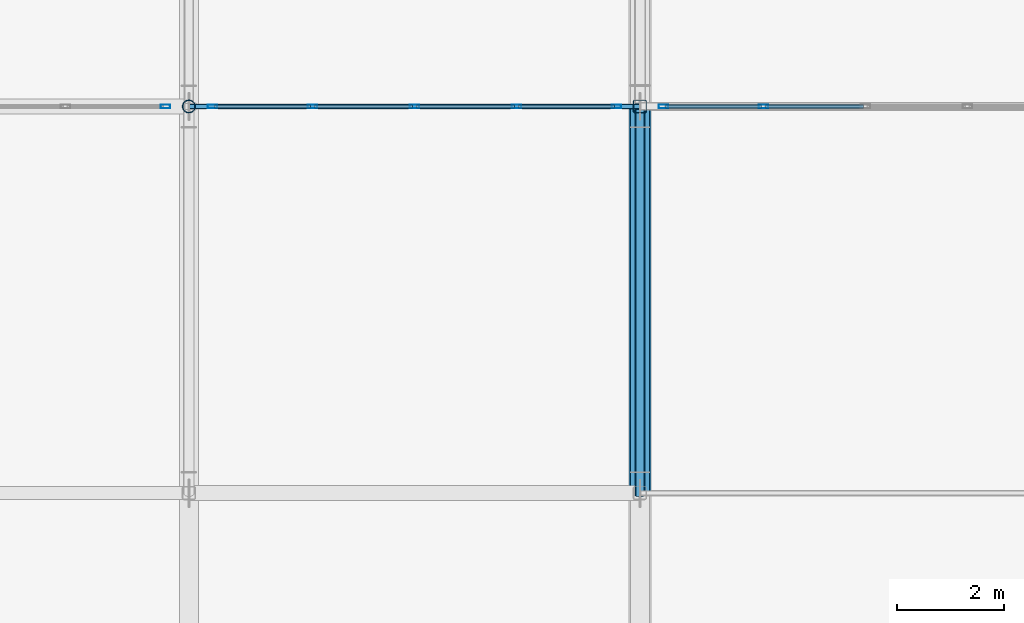
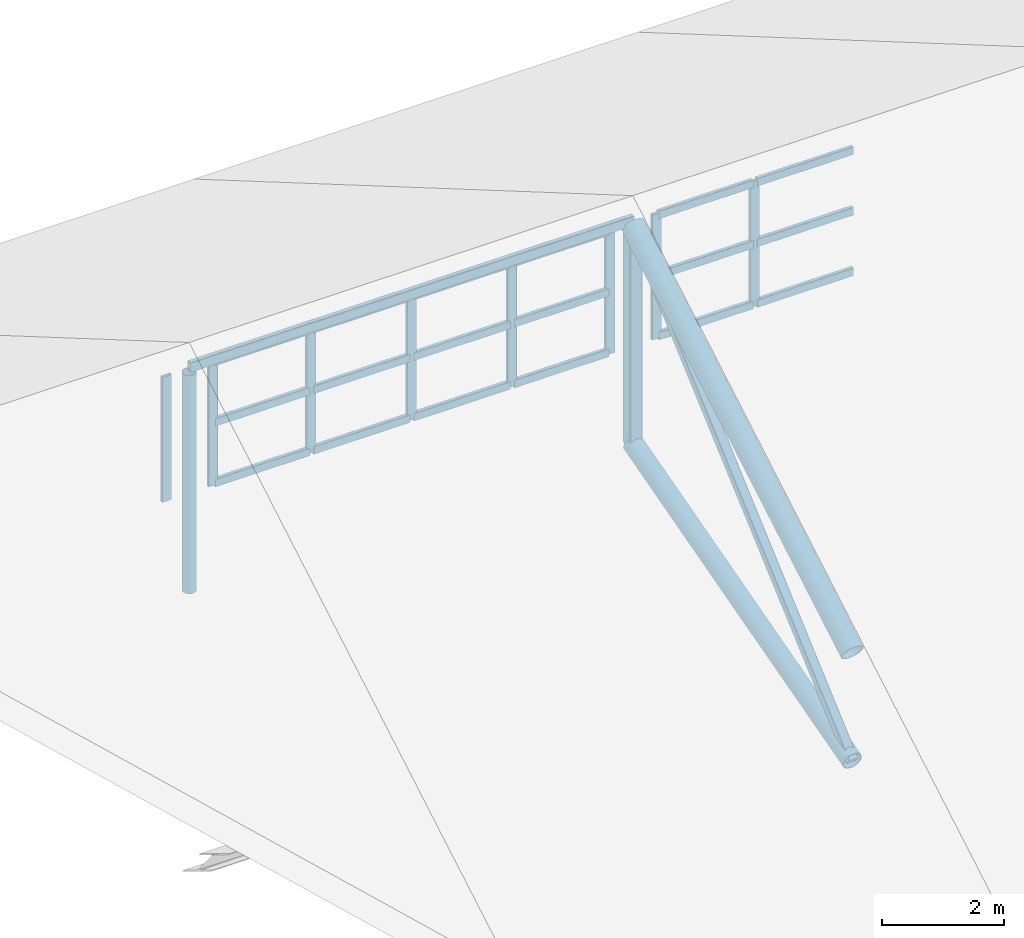
# One storey, part 13 of 54: 32 members, 3 elements without a shape of their own.
"""IFC4 building model written with IfcOpenShell, lengths in metres."""

from ifc_helpers import new_model, si_unit, direction, frame, origin, origin_2d, place, context, subcontext, project, spatial, hollow_rectangle, hollow_circle, extrude, material, layer, layer_set, material_profile, profile_set, type_object, element, aggregate, save


model = new_model("IFC4")

# Units and contexts
model_context = context("Model", 3, precision=1e-05, world=origin(), true_north=direction((0.0, 1.0)))
body_context = subcontext(model_context, "Body", "Model", "MODEL_VIEW")
ifc_project = project(units=[si_unit("LENGTHUNIT", "METRE"), si_unit("AREAUNIT", "SQUARE_METRE"), si_unit("VOLUMEUNIT", "CUBIC_METRE"), si_unit("PLANEANGLEUNIT", "RADIAN"), si_unit("MASSUNIT", "GRAM", prefix="KILO")], contexts=[model_context])

# Site, building, storey
site_placement = place(None, origin())
site = spatial("IfcSite", under=ifc_project, at=site_placement, CompositionType="ELEMENT")
building_placement = place(site_placement, origin())
building = spatial("IfcBuilding", under=site, at=building_placement, Name="Zulmaris Art Gallery", CompositionType="ELEMENT")
storey_placement = place(building_placement, frame((0.0, 0.0, 26.39990234375)))
storey = spatial("IfcBuildingStorey", under=building, at=storey_placement, Name="L05", CompositionType="ELEMENT", Elevation=26.39990234375)

# Curtain wall, member
ifc_material_1 = material(Name="Pitched Roof North-Light Clerestory Wall", Category="aluminium")
ifc_layer = layer(ifc_material_1, 0.179931640625)
ifc_layer_set = layer_set([ifc_layer], Name="Pitched Roof North-Light Clerestory Wall")
curtain_wall_type = type_object("IfcCurtainWallType", Name="CW-CW05", PredefinedType="NOTDEFINED", material=ifc_layer_set)
curtain_wall_1_placement = place(storey_placement, origin())
curtain_wall_1 = element("IfcCurtainWall", 1, at=curtain_wall_1_placement, inside=storey, type_object=curtain_wall_type, Name="L05 curtain wall 46", PredefinedType="NOTDEFINED")
ifc_material_2 = material(Name="Anodised Bronze Aluminium", Category="aluminium")
ifc_material_profile_1 = material_profile(ifc_material_2, hollow_rectangle(XDim=0.06494140625, YDim=0.179931640625, WallThickness=0.00390625, InnerFilletRadius=0.006103515625, OuterFilletRadius=0.010009765625, at=origin_2d()), Name="ALU 65x180x4")
ifc_profile_set_1 = profile_set([ifc_material_profile_1], Name="Anodised Bronze Aluminium")
member_type_1 = type_object("IfcMemberType", Name="CWMUL-01", PredefinedType="MULLION", material=ifc_profile_set_1)
member_1_placement = place(storey_placement, frame((40.362548828125, 36.0, 5.400146484375), z_axis=(0.0, 0.0, 1.0), x_axis=(0.0, 1.0, 0.0)))
member_1 = element("IfcMember", 2, at=member_1_placement, type_object=member_type_1, Name="CW05 mullion 5", PredefinedType="MULLION", context=body_context, shape_type="SweptSolid", body=[
    extrude(hollow_rectangle(XDim=0.06494140625, YDim=0.179931640625, WallThickness=0.00390625, InnerFilletRadius=0.006103515625, OuterFilletRadius=0.010009765625, at=origin_2d()), origin(), (0.0, 0.0, 1.0), 2.5),
])
aggregate(curtain_wall_1, [member_1])

# Curtain wall, members
curtain_wall_2_placement = place(storey_placement, origin())
curtain_wall_2 = element("IfcCurtainWall", 3, at=curtain_wall_2_placement, inside=storey, type_object=curtain_wall_type, Name="L05 curtain wall 47", PredefinedType="NOTDEFINED")
member_2_placement = place(storey_placement, frame((41.237548828125, 36.0, 5.400146484375), z_axis=(0.0, 0.0, 1.0), x_axis=(0.0, 1.0, 0.0)))
member_2 = element("IfcMember", 4, at=member_2_placement, type_object=member_type_1, Name="CW05 mullion 1", PredefinedType="MULLION", context=body_context, shape_type="SweptSolid", body=[
    extrude(hollow_rectangle(XDim=0.06494140625, YDim=0.179931640625, WallThickness=0.00390625, InnerFilletRadius=0.006103515625, OuterFilletRadius=0.010009765625, at=origin_2d()), origin(), (0.0, 0.0, 1.0), 2.5),
])
member_3_placement = place(storey_placement, frame((43.10009765625, 36.0, 5.400146484375), z_axis=(0.0, 0.0, 1.0), x_axis=(0.0, 1.0, 0.0)))
member_3 = element("IfcMember", 5, at=member_3_placement, type_object=member_type_1, Name="CW05 mullion 2", PredefinedType="MULLION", context=body_context, shape_type="SweptSolid", body=[
    extrude(hollow_rectangle(XDim=0.06494140625, YDim=0.179931640625, WallThickness=0.00390625, InnerFilletRadius=0.006103515625, OuterFilletRadius=0.010009765625, at=origin_2d()), origin(), (0.0, 0.0, 1.0), 2.5),
])
member_4_placement = place(storey_placement, frame((45.0, 36.0, 5.400146484375), z_axis=(0.0, 0.0, 1.0), x_axis=(0.0, 1.0, 0.0)))
member_4 = element("IfcMember", 6, at=member_4_placement, type_object=member_type_1, Name="CW05 mullion 3", PredefinedType="MULLION", context=body_context, shape_type="SweptSolid", body=[
    extrude(hollow_rectangle(XDim=0.06494140625, YDim=0.179931640625, WallThickness=0.00390625, InnerFilletRadius=0.006103515625, OuterFilletRadius=0.010009765625, at=origin_2d()), origin(), (0.0, 0.0, 1.0), 2.5),
])
member_5_placement = place(storey_placement, frame((46.89990234375, 36.0, 5.400146484375), z_axis=(0.0, 0.0, 1.0), x_axis=(0.0, 1.0, 0.0)))
member_5 = element("IfcMember", 7, at=member_5_placement, type_object=member_type_1, Name="CW05 mullion 4", PredefinedType="MULLION", context=body_context, shape_type="SweptSolid", body=[
    extrude(hollow_rectangle(XDim=0.06494140625, YDim=0.179931640625, WallThickness=0.00390625, InnerFilletRadius=0.006103515625, OuterFilletRadius=0.010009765625, at=origin_2d()), origin(), (0.0, 0.0, 1.0), 2.5),
])
member_6_placement = place(storey_placement, frame((48.762451171875, 36.0, 5.400146484375), z_axis=(0.0, 0.0, 1.0), x_axis=(0.0, 1.0, 0.0)))
member_6 = element("IfcMember", 8, at=member_6_placement, type_object=member_type_1, Name="CW05 mullion 5", PredefinedType="MULLION", context=body_context, shape_type="SweptSolid", body=[
    extrude(hollow_rectangle(XDim=0.06494140625, YDim=0.179931640625, WallThickness=0.00390625, InnerFilletRadius=0.006103515625, OuterFilletRadius=0.010009765625, at=origin_2d()), origin(), (0.0, 0.0, 1.0), 2.5),
])

curtain_wall_3_placement = place(storey_placement, origin())
curtain_wall_3 = element("IfcCurtainWall", 9, at=curtain_wall_3_placement, inside=storey, type_object=curtain_wall_type, Name="L05 curtain wall 48", PredefinedType="NOTDEFINED")
member_7_placement = place(storey_placement, frame((49.637451171875, 36.0, 5.400146484375), z_axis=(0.0, 0.0, 1.0), x_axis=(0.0, 1.0, 0.0)))
member_7 = element("IfcMember", 10, at=member_7_placement, type_object=member_type_1, Name="CW05 mullion 1", PredefinedType="MULLION", context=body_context, shape_type="SweptSolid", body=[
    extrude(hollow_rectangle(XDim=0.06494140625, YDim=0.179931640625, WallThickness=0.00390625, InnerFilletRadius=0.006103515625, OuterFilletRadius=0.010009765625, at=origin_2d()), origin(), (0.0, 0.0, 1.0), 2.5),
])
member_8_placement = place(storey_placement, frame((51.5, 36.0, 5.400146484375), z_axis=(0.0, 0.0, 1.0), x_axis=(0.0, 1.0, 0.0)))
member_8 = element("IfcMember", 11, at=member_8_placement, type_object=member_type_1, Name="CW05 mullion 2", PredefinedType="MULLION", context=body_context, shape_type="SweptSolid", body=[
    extrude(hollow_rectangle(XDim=0.06494140625, YDim=0.179931640625, WallThickness=0.00390625, InnerFilletRadius=0.006103515625, OuterFilletRadius=0.010009765625, at=origin_2d()), origin(), (0.0, 0.0, 1.0), 2.5),
])

# Member
ifc_material_profile_2 = material_profile(ifc_material_2, hollow_rectangle(XDim=0.074951171875, YDim=0.159912109375, WallThickness=0.00390625, InnerFilletRadius=0.006103515625, OuterFilletRadius=0.010009765625, at=origin_2d()), Name="ALU 75x160x4")
ifc_profile_set_2 = profile_set([ifc_material_profile_2], Name="Anodised Bronze Aluminium")
member_type_2 = type_object("IfcMemberType", Name="CWTRN-02", PredefinedType="USERDEFINED", material=ifc_profile_set_2)
member_9_placement = place(storey_placement, frame((41.27490234375, 36.0, 5.4375), z_axis=(1.0, 0.0, 0.0), x_axis=(0.0, 1.0, 0.0)))
member_9 = element("IfcMember", 12, at=member_9_placement, type_object=member_type_2, Name="CW05 transom 1.1", ObjectType="TRANSOM", PredefinedType="USERDEFINED", context=body_context, shape_type="SweptSolid", body=[
    extrude(hollow_rectangle(XDim=0.074951171875, YDim=0.159912109375, WallThickness=0.00390625, InnerFilletRadius=0.006103515625, OuterFilletRadius=0.010009765625, at=origin_2d()), origin(), (0.0, 0.0, 1.0), 1.78759765625),
])

member_10_placement = place(storey_placement, frame((41.27490234375, 36.0, 6.650146484375), z_axis=(1.0, 0.0, 0.0), x_axis=(0.0, 1.0, 0.0)))
member_10 = element("IfcMember", 13, at=member_10_placement, type_object=member_type_2, Name="CW05 transom 1.2", ObjectType="TRANSOM", PredefinedType="USERDEFINED", context=body_context, shape_type="SweptSolid", body=[
    extrude(hollow_rectangle(XDim=0.074951171875, YDim=0.159912109375, WallThickness=0.00390625, InnerFilletRadius=0.006103515625, OuterFilletRadius=0.010009765625, at=origin_2d()), origin(), (0.0, 0.0, 1.0), 1.78759765625),
])

member_11_placement = place(storey_placement, frame((41.27490234375, 36.0, 7.862548828125), z_axis=(1.0, 0.0, 0.0), x_axis=(0.0, 1.0, 0.0)))
member_11 = element("IfcMember", 14, at=member_11_placement, type_object=member_type_2, Name="CW05 transom 1.3", ObjectType="TRANSOM", PredefinedType="USERDEFINED", context=body_context, shape_type="SweptSolid", body=[
    extrude(hollow_rectangle(XDim=0.074951171875, YDim=0.159912109375, WallThickness=0.00390625, InnerFilletRadius=0.006103515625, OuterFilletRadius=0.010009765625, at=origin_2d()), origin(), (0.0, 0.0, 1.0), 1.78759765625),
])

member_12_placement = place(storey_placement, frame((43.137451171875, 36.0, 5.4375), z_axis=(1.0, 0.0, 0.0), x_axis=(0.0, 1.0, 0.0)))
member_12 = element("IfcMember", 15, at=member_12_placement, type_object=member_type_2, Name="CW05 transom 2.1", ObjectType="TRANSOM", PredefinedType="USERDEFINED", context=body_context, shape_type="SweptSolid", body=[
    extrude(hollow_rectangle(XDim=0.074951171875, YDim=0.159912109375, WallThickness=0.00390625, InnerFilletRadius=0.006103515625, OuterFilletRadius=0.010009765625, at=origin_2d()), origin(), (0.0, 0.0, 1.0), 1.824951171875),
])

member_13_placement = place(storey_placement, frame((43.137451171875, 36.0, 6.650146484375), z_axis=(1.0, 0.0, 0.0), x_axis=(0.0, 1.0, 0.0)))
member_13 = element("IfcMember", 16, at=member_13_placement, type_object=member_type_2, Name="CW05 transom 2.2", ObjectType="TRANSOM", PredefinedType="USERDEFINED", context=body_context, shape_type="SweptSolid", body=[
    extrude(hollow_rectangle(XDim=0.074951171875, YDim=0.159912109375, WallThickness=0.00390625, InnerFilletRadius=0.006103515625, OuterFilletRadius=0.010009765625, at=origin_2d()), origin(), (0.0, 0.0, 1.0), 1.824951171875),
])

member_14_placement = place(storey_placement, frame((43.137451171875, 36.0, 7.862548828125), z_axis=(1.0, 0.0, 0.0), x_axis=(0.0, 1.0, 0.0)))
member_14 = element("IfcMember", 17, at=member_14_placement, type_object=member_type_2, Name="CW05 transom 2.3", ObjectType="TRANSOM", PredefinedType="USERDEFINED", context=body_context, shape_type="SweptSolid", body=[
    extrude(hollow_rectangle(XDim=0.074951171875, YDim=0.159912109375, WallThickness=0.00390625, InnerFilletRadius=0.006103515625, OuterFilletRadius=0.010009765625, at=origin_2d()), origin(), (0.0, 0.0, 1.0), 1.824951171875),
])

member_15_placement = place(storey_placement, frame((45.03759765625, 36.0, 5.4375), z_axis=(1.0, 0.0, 0.0), x_axis=(0.0, 1.0, 0.0)))
member_15 = element("IfcMember", 18, at=member_15_placement, type_object=member_type_2, Name="CW05 transom 3.1", ObjectType="TRANSOM", PredefinedType="USERDEFINED", context=body_context, shape_type="SweptSolid", body=[
    extrude(hollow_rectangle(XDim=0.074951171875, YDim=0.159912109375, WallThickness=0.00390625, InnerFilletRadius=0.006103515625, OuterFilletRadius=0.010009765625, at=origin_2d()), origin(), (0.0, 0.0, 1.0), 1.824951171875),
])

member_16_placement = place(storey_placement, frame((45.03759765625, 36.0, 6.650146484375), z_axis=(1.0, 0.0, 0.0), x_axis=(0.0, 1.0, 0.0)))
member_16 = element("IfcMember", 19, at=member_16_placement, type_object=member_type_2, Name="CW05 transom 3.2", ObjectType="TRANSOM", PredefinedType="USERDEFINED", context=body_context, shape_type="SweptSolid", body=[
    extrude(hollow_rectangle(XDim=0.074951171875, YDim=0.159912109375, WallThickness=0.00390625, InnerFilletRadius=0.006103515625, OuterFilletRadius=0.010009765625, at=origin_2d()), origin(), (0.0, 0.0, 1.0), 1.824951171875),
])

member_17_placement = place(storey_placement, frame((45.03759765625, 36.0, 7.862548828125), z_axis=(1.0, 0.0, 0.0), x_axis=(0.0, 1.0, 0.0)))
member_17 = element("IfcMember", 20, at=member_17_placement, type_object=member_type_2, Name="CW05 transom 3.3", ObjectType="TRANSOM", PredefinedType="USERDEFINED", context=body_context, shape_type="SweptSolid", body=[
    extrude(hollow_rectangle(XDim=0.074951171875, YDim=0.159912109375, WallThickness=0.00390625, InnerFilletRadius=0.006103515625, OuterFilletRadius=0.010009765625, at=origin_2d()), origin(), (0.0, 0.0, 1.0), 1.824951171875),
])

member_18_placement = place(storey_placement, frame((46.9375, 36.0, 5.4375), z_axis=(1.0, 0.0, 0.0), x_axis=(0.0, 1.0, 0.0)))
member_18 = element("IfcMember", 21, at=member_18_placement, type_object=member_type_2, Name="CW05 transom 4.1", ObjectType="TRANSOM", PredefinedType="USERDEFINED", context=body_context, shape_type="SweptSolid", body=[
    extrude(hollow_rectangle(XDim=0.074951171875, YDim=0.159912109375, WallThickness=0.00390625, InnerFilletRadius=0.006103515625, OuterFilletRadius=0.010009765625, at=origin_2d()), origin(), (0.0, 0.0, 1.0), 1.78759765625),
])

member_19_placement = place(storey_placement, frame((46.9375, 36.0, 6.650146484375), z_axis=(1.0, 0.0, 0.0), x_axis=(0.0, 1.0, 0.0)))
member_19 = element("IfcMember", 22, at=member_19_placement, type_object=member_type_2, Name="CW05 transom 4.2", ObjectType="TRANSOM", PredefinedType="USERDEFINED", context=body_context, shape_type="SweptSolid", body=[
    extrude(hollow_rectangle(XDim=0.074951171875, YDim=0.159912109375, WallThickness=0.00390625, InnerFilletRadius=0.006103515625, OuterFilletRadius=0.010009765625, at=origin_2d()), origin(), (0.0, 0.0, 1.0), 1.78759765625),
])

member_20_placement = place(storey_placement, frame((46.9375, 36.0, 7.862548828125), z_axis=(1.0, 0.0, 0.0), x_axis=(0.0, 1.0, 0.0)))
member_20 = element("IfcMember", 23, at=member_20_placement, type_object=member_type_2, Name="CW05 transom 4.3", ObjectType="TRANSOM", PredefinedType="USERDEFINED", context=body_context, shape_type="SweptSolid", body=[
    extrude(hollow_rectangle(XDim=0.074951171875, YDim=0.159912109375, WallThickness=0.00390625, InnerFilletRadius=0.006103515625, OuterFilletRadius=0.010009765625, at=origin_2d()), origin(), (0.0, 0.0, 1.0), 1.78759765625),
])

aggregate(curtain_wall_2, [member_2, member_3, member_4, member_5, member_6, member_9, member_10, member_11, member_12, member_13, member_14, member_15, member_16, member_17, member_18, member_19, member_20])

member_21_placement = place(storey_placement, frame((49.675048828125, 36.0, 5.4375), z_axis=(1.0, 0.0, 0.0), x_axis=(0.0, 1.0, 0.0)))
member_21 = element("IfcMember", 24, at=member_21_placement, type_object=member_type_2, Name="CW05 transom 1.1", ObjectType="TRANSOM", PredefinedType="USERDEFINED", context=body_context, shape_type="SweptSolid", body=[
    extrude(hollow_rectangle(XDim=0.074951171875, YDim=0.159912109375, WallThickness=0.00390625, InnerFilletRadius=0.006103515625, OuterFilletRadius=0.010009765625, at=origin_2d()), origin(), (0.0, 0.0, 1.0), 1.787353515625),
])

member_22_placement = place(storey_placement, frame((49.675048828125, 36.0, 6.650146484375), z_axis=(1.0, 0.0, 0.0), x_axis=(0.0, 1.0, 0.0)))
member_22 = element("IfcMember", 25, at=member_22_placement, type_object=member_type_2, Name="CW05 transom 1.2", ObjectType="TRANSOM", PredefinedType="USERDEFINED", context=body_context, shape_type="SweptSolid", body=[
    extrude(hollow_rectangle(XDim=0.074951171875, YDim=0.159912109375, WallThickness=0.00390625, InnerFilletRadius=0.006103515625, OuterFilletRadius=0.010009765625, at=origin_2d()), origin(), (0.0, 0.0, 1.0), 1.787353515625),
])

member_23_placement = place(storey_placement, frame((49.675048828125, 36.0, 7.862548828125), z_axis=(1.0, 0.0, 0.0), x_axis=(0.0, 1.0, 0.0)))
member_23 = element("IfcMember", 26, at=member_23_placement, type_object=member_type_2, Name="CW05 transom 1.3", ObjectType="TRANSOM", PredefinedType="USERDEFINED", context=body_context, shape_type="SweptSolid", body=[
    extrude(hollow_rectangle(XDim=0.074951171875, YDim=0.159912109375, WallThickness=0.00390625, InnerFilletRadius=0.006103515625, OuterFilletRadius=0.010009765625, at=origin_2d()), origin(), (0.0, 0.0, 1.0), 1.787353515625),
])

member_24_placement = place(storey_placement, frame((51.53759765625, 36.0, 5.4375), z_axis=(1.0, 0.0, 0.0), x_axis=(0.0, 1.0, 0.0)))
member_24 = element("IfcMember", 27, at=member_24_placement, type_object=member_type_2, Name="CW05 transom 2.1", ObjectType="TRANSOM", PredefinedType="USERDEFINED", context=body_context, shape_type="SweptSolid", body=[
    extrude(hollow_rectangle(XDim=0.074951171875, YDim=0.159912109375, WallThickness=0.00390625, InnerFilletRadius=0.006103515625, OuterFilletRadius=0.010009765625, at=origin_2d()), origin(), (0.0, 0.0, 1.0), 1.824951171875),
])

member_25_placement = place(storey_placement, frame((51.53759765625, 36.0, 6.650146484375), z_axis=(1.0, 0.0, 0.0), x_axis=(0.0, 1.0, 0.0)))
member_25 = element("IfcMember", 28, at=member_25_placement, type_object=member_type_2, Name="CW05 transom 2.2", ObjectType="TRANSOM", PredefinedType="USERDEFINED", context=body_context, shape_type="SweptSolid", body=[
    extrude(hollow_rectangle(XDim=0.074951171875, YDim=0.159912109375, WallThickness=0.00390625, InnerFilletRadius=0.006103515625, OuterFilletRadius=0.010009765625, at=origin_2d()), origin(), (0.0, 0.0, 1.0), 1.824951171875),
])

member_26_placement = place(storey_placement, frame((51.53759765625, 36.0, 7.862548828125), z_axis=(1.0, 0.0, 0.0), x_axis=(0.0, 1.0, 0.0)))
member_26 = element("IfcMember", 29, at=member_26_placement, type_object=member_type_2, Name="CW05 transom 2.3", ObjectType="TRANSOM", PredefinedType="USERDEFINED", context=body_context, shape_type="SweptSolid", body=[
    extrude(hollow_rectangle(XDim=0.074951171875, YDim=0.159912109375, WallThickness=0.00390625, InnerFilletRadius=0.006103515625, OuterFilletRadius=0.010009765625, at=origin_2d()), origin(), (0.0, 0.0, 1.0), 1.824951171875),
])

aggregate(curtain_wall_3, [member_7, member_8, member_21, member_22, member_23, member_24, member_25, member_26])

# Members
ifc_material_3 = material(Name="Steel S355J2H", Category="steel")
ifc_material_profile_3 = material_profile(ifc_material_3, hollow_rectangle(XDim=0.10009765625, YDim=0.199951171875, WallThickness=0.008056640625, InnerFilletRadius=0.011962890625, OuterFilletRadius=0.02001953125, at=origin_2d()), Name="RHS 200x100x8")
ifc_profile_set_3 = profile_set([ifc_material_profile_3], Name="Steel S355J2H")
member_type_3 = type_object("IfcMemberType", Name="MEM-PR01", PredefinedType="PURLIN", material=ifc_profile_set_3)
member_27_placement = place(storey_placement, frame((40.800048828125, 36.0, 7.920166015625), z_axis=(1.0, 0.0, 0.0), x_axis=(0.0, 1.0, 0.0)))
element("IfcMember", 30, at=member_27_placement, inside=storey, type_object=member_type_3, Name="Skylight roof purlin bay 5 line 3", PredefinedType="PURLIN", context=body_context, shape_type="SweptSolid", body=[
    extrude(hollow_rectangle(XDim=0.10009765625, YDim=0.199951171875, WallThickness=0.008056640625, InnerFilletRadius=0.011962890625, OuterFilletRadius=0.02001953125, at=origin_2d()), origin(), (0.0, 0.0, 1.0), 8.39990234375),
])
ifc_material_profile_4 = material_profile(ifc_material_3, hollow_rectangle(XDim=0.179931640625, YDim=0.179931640625, WallThickness=0.010009765625, InnerFilletRadius=0.014892578125, OuterFilletRadius=0.02490234375, at=origin_2d()), Name="SHS 180x180x10")
ifc_profile_set_4 = profile_set([ifc_material_profile_4], Name="Steel S355J2H")
member_type_4 = type_object("IfcMemberType", Name="MEM-TB05", PredefinedType="BRACE", material=ifc_profile_set_4)
member_28_placement = place(storey_placement, frame((49.199951171875, 28.800048828125, 1.4501953125), z_axis=(0.0, 0.748961175261, 0.662613883006), x_axis=(-1.0, 0.0, 0.0)))
element("IfcMember", 31, at=member_28_placement, inside=storey, type_object=member_type_4, Name="Pitched gallery truss TR-R06 diagonal 2", PredefinedType="BRACE", context=body_context, shape_type="SweptSolid", body=[
    extrude(hollow_rectangle(XDim=0.179931640625, YDim=0.179931640625, WallThickness=0.010009765625, InnerFilletRadius=0.014892578125, OuterFilletRadius=0.02490234375, at=origin_2d()), origin(), (0.0, 0.0, 1.0), 9.61328125),
])
ifc_material_profile_5 = material_profile(ifc_material_3, hollow_circle(Radius=0.177734375, WallThickness=0.01611328125, at=origin_2d()), Name="CHS 355.6x16")
ifc_profile_set_5 = profile_set([ifc_material_profile_5], Name="Steel S355J2H")
member_type_5 = type_object("IfcMemberType", Name="MEM-TC01", PredefinedType="CHORD", material=ifc_profile_set_5)
member_29_placement = place(storey_placement, frame((49.199951171875, 28.800048828125, 1.4501953125), z_axis=(0.0, 0.963517441554, 0.267645548853), x_axis=(-1.0, 0.0, 0.0)))
element("IfcMember", 32, at=member_29_placement, inside=storey, type_object=member_type_5, Name="Pitched gallery truss TR-R06 bottom chord 2", PredefinedType="CHORD", context=body_context, shape_type="SweptSolid", body=[
    extrude(hollow_circle(Radius=0.177734375, WallThickness=0.01611328125, at=origin_2d()), origin(), (0.0, 0.0, 1.0), 7.47265625),
])
ifc_material_profile_6 = material_profile(ifc_material_3, hollow_circle(Radius=0.203125, WallThickness=0.01611328125, at=origin_2d()), Name="CHS 406.4x16")
ifc_profile_set_6 = profile_set([ifc_material_profile_6], Name="Steel S355J2H")
member_type_6 = type_object("IfcMemberType", Name="MEM-TC02", PredefinedType="CHORD", material=ifc_profile_set_6)
member_30_placement = place(storey_placement, frame((49.199951171875, 28.800048828125, 3.6201171875), z_axis=(0.0, 0.863779963214, 0.503869204407), x_axis=(-1.0, 0.0, 0.0)))
element("IfcMember", 33, at=member_30_placement, inside=storey, type_object=member_type_6, Name="Pitched gallery truss TR-R06 top chord 2", PredefinedType="CHORD", context=body_context, shape_type="SweptSolid", body=[
    extrude(hollow_circle(Radius=0.203125, WallThickness=0.01611328125, at=origin_2d()), origin(), (0.0, 0.0, 1.0), 8.33544921875),
])
ifc_material_profile_7 = material_profile(ifc_material_3, hollow_circle(Radius=0.122314453125, WallThickness=0.012451171875, at=origin_2d()), Name="CHS 244.5x12.5")
ifc_profile_set_7 = profile_set([ifc_material_profile_7], Name="Steel S355J2H")
member_type_7 = type_object("IfcMemberType", Name="MEM-TP02", PredefinedType="POST", material=ifc_profile_set_7)
member_31_placement = place(storey_placement, frame((40.800048828125, 36.0, 3.4501953125), z_axis=(0.0, 0.0, 1.0), x_axis=(1.0, 0.0, 0.0)))
element("IfcMember", 34, at=member_31_placement, inside=storey, type_object=member_type_7, Name="Pitched gallery truss TR-R05 web post 3", PredefinedType="POST", context=body_context, shape_type="SweptSolid", body=[
    extrude(hollow_circle(Radius=0.122314453125, WallThickness=0.012451171875, at=origin_2d()), origin(), (0.0, 0.0, 1.0), 4.369873046875),
])
ifc_material_profile_8 = material_profile(ifc_material_3, hollow_rectangle(XDim=0.25, YDim=0.25, WallThickness=0.012451171875, InnerFilletRadius=0.018798828125, OuterFilletRadius=0.03125, at=origin_2d()), Name="SHS 250x250x12.5")
ifc_profile_set_8 = profile_set([ifc_material_profile_8], Name="Steel S355J2H")
member_type_8 = type_object("IfcMemberType", Name="MEM-TP05", PredefinedType="POST", material=ifc_profile_set_8)
member_32_placement = place(storey_placement, frame((49.199951171875, 36.0, 3.4501953125), z_axis=(0.0, 0.0, 1.0), x_axis=(1.0, 0.0, 0.0)))
element("IfcMember", 35, at=member_32_placement, inside=storey, type_object=member_type_8, Name="Pitched gallery truss TR-R06 web post 3", PredefinedType="POST", context=body_context, shape_type="SweptSolid", body=[
    extrude(hollow_rectangle(XDim=0.25, YDim=0.25, WallThickness=0.012451171875, InnerFilletRadius=0.018798828125, OuterFilletRadius=0.03125, at=origin_2d()), origin(), (0.0, 0.0, 1.0), 4.369873046875),
])

save(model, "model.ifc")
